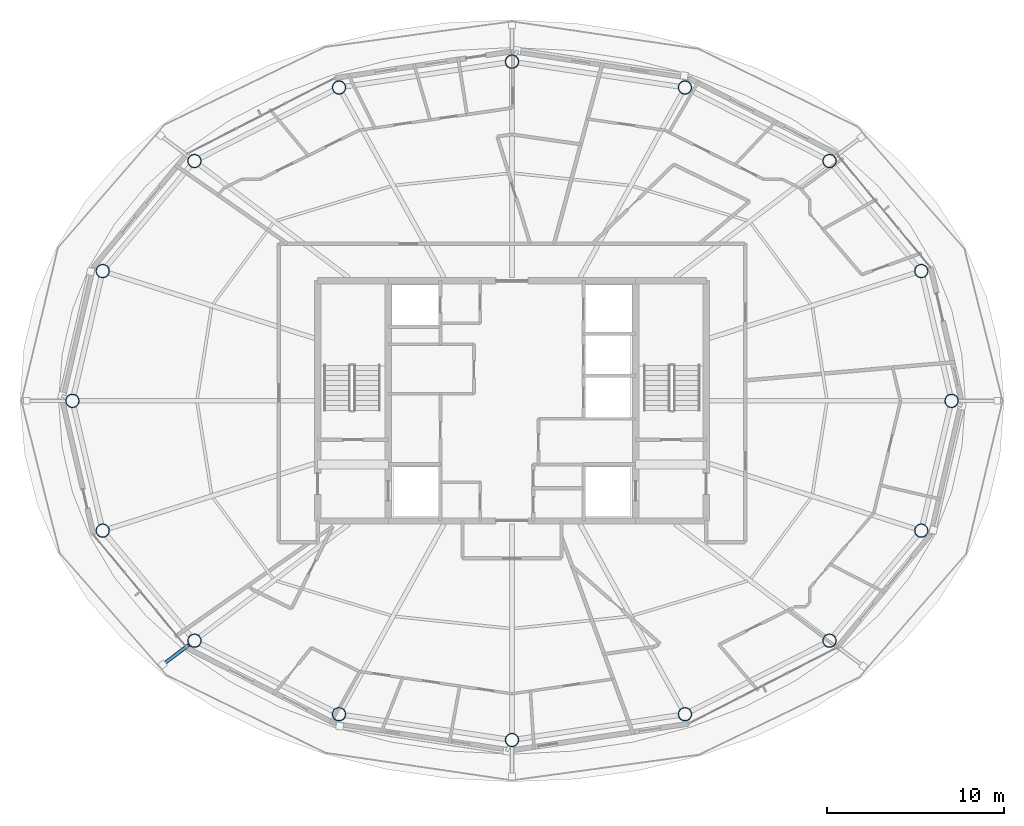
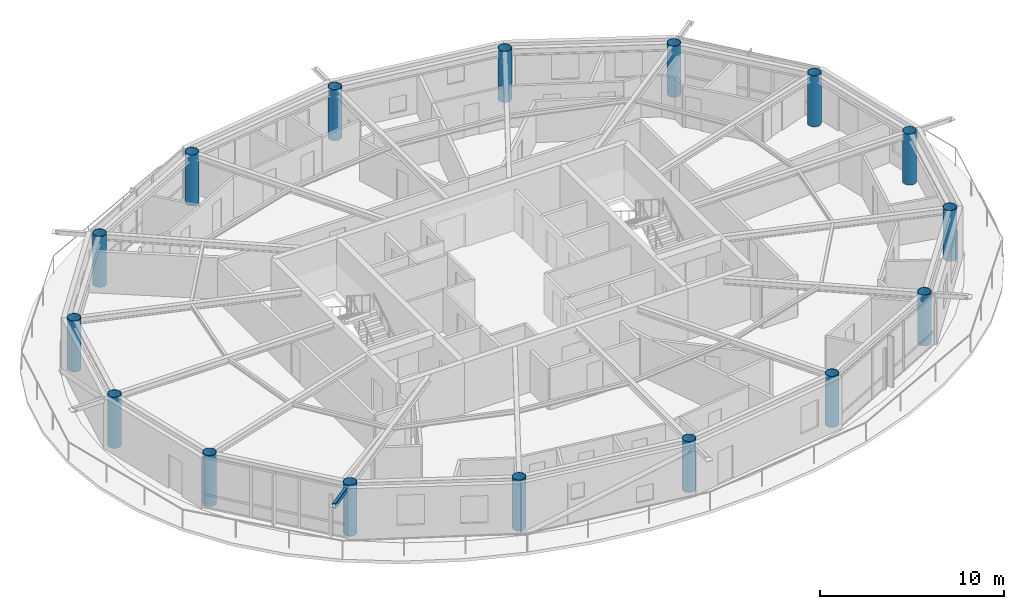
# One storey, part 1 of 23: 16 columns, 1 member.
"""IFC4 building model written with IfcOpenShell, lengths in metres."""

from ifc_helpers import new_model, si_unit, direction, frame, origin, origin_2d, place, context, subcontext, project, spatial, hollow_rectangle, hollow_circle, extrude, material, material_profile, profile_set, type_object, element, save


model = new_model("IFC4")

# Units and contexts
model_context = context("Model", 3, precision=1e-05, world=origin(), true_north=direction((0.0, 1.0)))
body_context = subcontext(model_context, "Body", "Model", "MODEL_VIEW")
ifc_project = project(units=[si_unit("LENGTHUNIT", "METRE"), si_unit("AREAUNIT", "SQUARE_METRE"), si_unit("VOLUMEUNIT", "CUBIC_METRE"), si_unit("PLANEANGLEUNIT", "RADIAN"), si_unit("MASSUNIT", "GRAM", prefix="KILO")], contexts=[model_context])

# Site, building, storey
site_placement = place(None, origin())
site = spatial("IfcSite", under=ifc_project, at=site_placement, CompositionType="ELEMENT")
building_placement = place(site_placement, origin())
building = spatial("IfcBuilding", under=site, at=building_placement, Name="Sarneth Arch Tower", CompositionType="ELEMENT")
storey_placement = place(building_placement, frame((0.0, 0.0, 280.199951171875)))
storey = spatial("IfcBuildingStorey", under=building, at=storey_placement, Name="L72", CompositionType="ELEMENT", Elevation=280.199951171875)

# Columns
ifc_material_1 = material(Name="Steel S355", Category="steel")
ifc_material_profile_1 = material_profile(ifc_material_1, hollow_circle(Radius=0.381103515625, WallThickness=0.02490234375, at=origin_2d()), Name="CHS762x25")
ifc_profile_set_1 = profile_set([ifc_material_profile_1], Name="Steel S355")
column_type = type_object("IfcColumnType", Name="COL-MEGA-762", PredefinedType="COLUMN", material=ifc_profile_set_1)
for number, where, z_axis, x_axis, name in (
    (1, (72.88330078125, 42.0, 0.0), (0.0, 0.0, 1.0), (1.0, 0.0, 0.0), "L72 Perimeter mega-column M01"),
    (2, (71.1689453125, 49.347412109375, 0.0), (0.0, 0.0, 1.0), (1.0, 0.0, 0.0), "L72 Perimeter mega-column M02"),
    (3, (65.975341796875, 55.576416015625, 0.0), (0.0, 0.0, 1.0), (1.0, 0.0, 0.0), "L72 Perimeter mega-column M03"),
    (4, (57.790771484375, 59.738525390625, 0.0), (0.0, 0.0, 1.0), (1.0, 0.0, 0.0), "L72 Perimeter mega-column M04"),
    (5, (48.0, 61.199951171875, 0.0), (0.0, 0.0, 1.0), (1.0, 0.0, 0.0), "L72 Perimeter mega-column M05"),
    (6, (38.209228515625, 59.738525390625, 0.0), (0.0, 0.0, 1.0), (1.0, 0.0, 0.0), "L72 Perimeter mega-column M06"),
    (7, (30.024658203125, 55.576416015625, 0.0), (0.0, 0.0, 1.0), (1.0, 0.0, 0.0), "L72 Perimeter mega-column M07"),
    (8, (24.8310546875, 49.347412109375, 0.0), (0.0, 0.0, 1.0), (1.0, 0.0, 0.0), "L72 Perimeter mega-column M08"),
    (9, (23.11669921875, 42.0, 0.0), (0.0, 0.0, 1.0), (1.0, 0.0, 0.0), "L72 Perimeter mega-column M09"),
    (10, (24.8310546875, 34.652587890625, 0.0), (0.0, 0.0, 1.0), (1.0, 0.0, 0.0), "L72 Perimeter mega-column M10"),
    (11, (30.024658203125, 28.423583984375, 0.0), (0.0, 0.0, 1.0), (1.0, 0.0, 0.0), "L72 Perimeter mega-column M11"),
    (12, (38.209228515625, 24.261474609375, 0.0), (0.0, 0.0, 1.0), (1.0, 0.0, 0.0), "L72 Perimeter mega-column M12"),
    (13, (48.0, 22.800048828125, 0.0), (0.0, 0.0, 1.0), (1.0, 0.0, 0.0), "L72 Perimeter mega-column M13"),
    (14, (57.790771484375, 24.261474609375, 0.0), (0.0, 0.0, 1.0), (1.0, 0.0, 0.0), "L72 Perimeter mega-column M14"),
    (15, (65.975341796875, 28.423583984375, 0.0), (0.0, 0.0, 1.0), (1.0, 0.0, 0.0), "L72 Perimeter mega-column M15"),
    (16, (71.1689453125, 34.652587890625, 0.0), (0.0, 0.0, 1.0), (1.0, 0.0, 0.0), "L72 Perimeter mega-column M16"),
):
    element("IfcColumn", number, at=place(storey_placement, frame(where, z_axis=z_axis, x_axis=x_axis)), inside=storey, type_object=column_type, Name=name, PredefinedType="COLUMN", context=body_context, shape_type="SweptSolid", body=[
        extrude(hollow_circle(Radius=0.381103515625, WallThickness=0.02490234375, at=origin_2d()), origin(), (0.0, 0.0, 1.0), 3.3701171875),
    ])

# Member
ifc_material_2 = material(Name="Steel S355", Category="steel")
ifc_material_profile_2 = material_profile(ifc_material_2, hollow_rectangle(XDim=0.199951171875, YDim=0.300048828125, WallThickness=0.012451171875, InnerFilletRadius=0.018798828125, OuterFilletRadius=0.03125, at=origin_2d()), Name="RHS300x200x12.5")
ifc_profile_set_2 = profile_set([ifc_material_profile_2], Name="Steel S355")
member_type = type_object("IfcMemberType", Name="MEM-CANT-STRUT", PredefinedType="STRUT", material=ifc_profile_set_2)
member_placement = place(storey_placement, frame((29.720703125, 28.19384765625, 3.2099609375), z_axis=(-0.797956711081, -0.602714764413, 0.0), x_axis=(0.602714764413, -0.797956711081, 0.0)))
element("IfcMember", 17, at=member_placement, inside=storey, type_object=member_type, Name="L72 Balcony cantilever bracket 11", PredefinedType="STRUT", context=body_context, shape_type="SweptSolid", body=[
    extrude(hollow_rectangle(XDim=0.199951171875, YDim=0.300048828125, WallThickness=0.012451171875, InnerFilletRadius=0.018798828125, OuterFilletRadius=0.03125, at=origin_2d()), origin(), (0.0, 0.0, 1.0), 1.8681640625),
])

save(model, "model.ifc")
